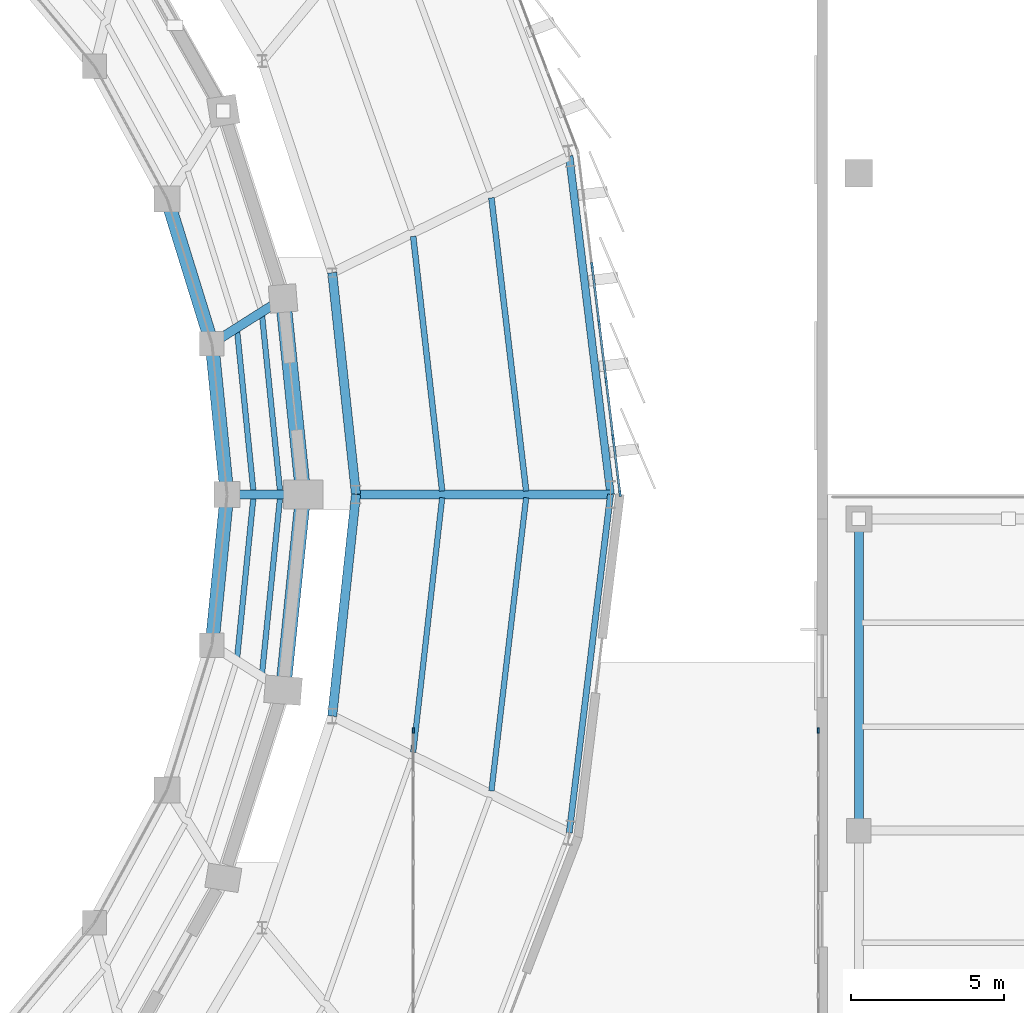
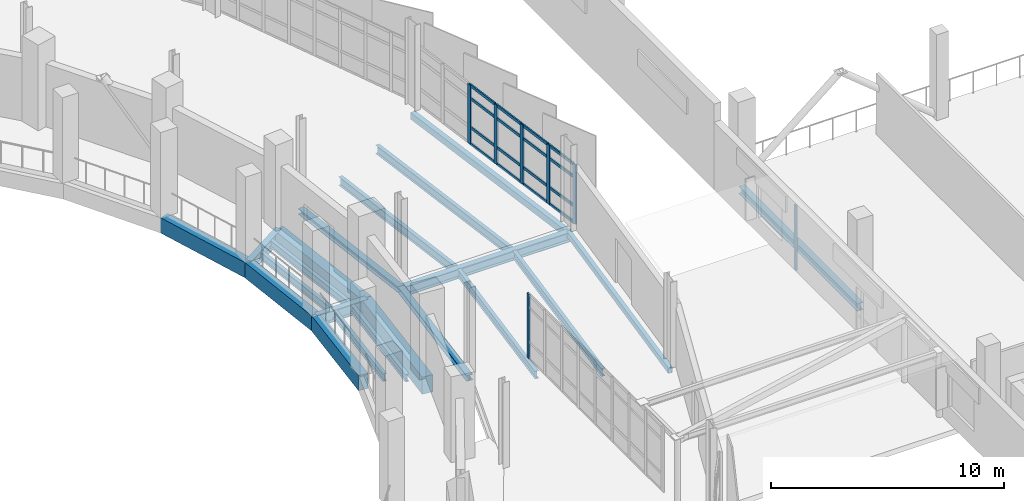
# One storey, part 71 of 125: 23 members, 21 beams, 3 elements without a shape of their own.
"""IFC4 building model written with IfcOpenShell, lengths in metres."""

from ifc_helpers import new_model, si_unit, direction, frame, origin, origin_2d, place, context, subcontext, project, spatial, rectangle, hollow_rectangle, i_section, extrude, material, layer, layer_set, material_profile, profile_set, type_object, element, aggregate, save


model = new_model("IFC4")

# Units and contexts
model_context = context("Model", 3, precision=1e-05, world=origin(), true_north=direction((0.0, 1.0)))
body_context = subcontext(model_context, "Body", "Model", "MODEL_VIEW")
ifc_project = project(units=[si_unit("LENGTHUNIT", "METRE"), si_unit("AREAUNIT", "SQUARE_METRE"), si_unit("VOLUMEUNIT", "CUBIC_METRE"), si_unit("PLANEANGLEUNIT", "RADIAN"), si_unit("MASSUNIT", "GRAM", prefix="KILO")], contexts=[model_context])

# Site, building, storey
site_placement = place(None, origin())
site = spatial("IfcSite", under=ifc_project, at=site_placement, CompositionType="ELEMENT")
building_placement = place(site_placement, origin())
building = spatial("IfcBuilding", under=site, at=building_placement, Name="Sohan Crest Arena", CompositionType="ELEMENT")
storey_placement = place(building_placement, frame((0.0, 0.0, 9.0)))
storey = spatial("IfcBuildingStorey", under=building, at=storey_placement, Name="L02", CompositionType="ELEMENT", Elevation=9.0)

# Curtain wall, member
ifc_material_1 = material(Name="Thermally broken anodised aluminium", Category="aluminium")
ifc_layer_1 = layer(ifc_material_1, 0.18994140625, Name="Thermally broken anodised aluminium")
ifc_layer_set_1 = layer_set([ifc_layer_1], Name="Thermally broken anodised aluminium")
curtain_wall_type_1 = type_object("IfcCurtainWallType", Name="ARC-CW05", PredefinedType="NOTDEFINED", material=ifc_layer_set_1)
curtain_wall_1_placement = place(storey_placement, origin())
curtain_wall_1 = element("IfcCurtainWall", 1, at=curtain_wall_1_placement, inside=storey, type_object=curtain_wall_type_1, Name="Unitised curtain wall CW-243", PredefinedType="NOTDEFINED")
ifc_material_profile_1 = material_profile(ifc_material_1, rectangle(XDim=0.06494140625, YDim=0.179931640625, at=origin_2d()), Name="ALU-MULL 65x180")
ifc_profile_set_1 = profile_set([ifc_material_profile_1], Name="Thermally broken anodised aluminium")
member_type_1 = type_object("IfcMemberType", Name="ARC-CW-ML02", PredefinedType="MULLION", material=ifc_profile_set_1)
member_1_placement = place(storey_placement, frame((181.6201171875, 70.267578125, 0.0), z_axis=(0.0, 0.0, 1.0), x_axis=(-1.0, 0.0, 0.0)))
member_1 = element("IfcMember", 2, at=member_1_placement, type_object=member_type_1, Name="CW-243 mullion 9", PredefinedType="MULLION", context=body_context, shape_type="SweptSolid", body=[
    extrude(rectangle(XDim=0.06494140625, YDim=0.179931640625, at=origin_2d()), origin(), (0.0, 0.0, 1.0), 3.39990234375),
])
aggregate(curtain_wall_1, [member_1])

curtain_wall_2_placement = place(storey_placement, origin())
curtain_wall_2 = element("IfcCurtainWall", 3, at=curtain_wall_2_placement, inside=storey, type_object=curtain_wall_type_1, Name="Unitised curtain wall CW-244", PredefinedType="NOTDEFINED")
member_2_placement = place(storey_placement, frame((194.8798828125, 70.267578125, 0.0), z_axis=(0.0, 0.0, 1.0), x_axis=(-1.0, 0.0, 0.0)))
member_2 = element("IfcMember", 4, at=member_2_placement, type_object=member_type_1, Name="CW-244 mullion 9", PredefinedType="MULLION", context=body_context, shape_type="SweptSolid", body=[
    extrude(rectangle(XDim=0.06494140625, YDim=0.179931640625, at=origin_2d()), origin(), (0.0, 0.0, 1.0), 3.39990234375),
])
aggregate(curtain_wall_2, [member_2])

# Curtain wall, members
ifc_layer_2 = layer(ifc_material_1, 0.2099609375, Name="Thermally broken anodised aluminium")
ifc_layer_set_2 = layer_set([ifc_layer_2], Name="Thermally broken anodised aluminium")
curtain_wall_type_2 = type_object("IfcCurtainWallType", Name="ARC-CW06", PredefinedType="NOTDEFINED", material=ifc_layer_set_2)
curtain_wall_3_placement = place(storey_placement, origin())
curtain_wall_3 = element("IfcCurtainWall", 5, at=curtain_wall_3_placement, inside=storey, type_object=curtain_wall_type_2, Name="Unitised curtain wall CW-069", PredefinedType="NOTDEFINED")
ifc_material_profile_2 = material_profile(ifc_material_1, rectangle(XDim=0.074951171875, YDim=0.219970703125, at=origin_2d()), Name="ALU-MULL 75x220")
ifc_profile_set_2 = profile_set([ifc_material_profile_2], Name="Thermally broken anodised aluminium")
member_type_2 = type_object("IfcMemberType", Name="ARC-CW-ML04", PredefinedType="MULLION", material=ifc_profile_set_2)
member_3_placement = place(storey_placement, frame((188.384521484375, 78.037109375, 0.0), z_axis=(0.0, 0.0, 1.0), x_axis=(-0.992574614228, -0.121637310023, 0.0)))
member_3 = element("IfcMember", 6, at=member_3_placement, type_object=member_type_2, Name="CW-069 mullion 1", PredefinedType="MULLION", context=body_context, shape_type="SweptSolid", body=[
    extrude(rectangle(XDim=0.074951171875, YDim=0.219970703125, at=origin_2d()), origin(), (0.0, 0.0, 1.0), 3.1201171875),
])
member_4_placement = place(storey_placement, frame((188.159912109375, 79.86865234375, 0.0), z_axis=(0.0, 0.0, 1.0), x_axis=(-0.992574614228, -0.121637310023, 0.0)))
member_4 = element("IfcMember", 7, at=member_4_placement, type_object=member_type_2, Name="CW-069 mullion 2", PredefinedType="MULLION", context=body_context, shape_type="SweptSolid", body=[
    extrude(rectangle(XDim=0.074951171875, YDim=0.219970703125, at=origin_2d()), origin(), (0.0, 0.0, 1.0), 3.1201171875),
])
member_5_placement = place(storey_placement, frame((187.930908203125, 81.7373046875, 0.0), z_axis=(0.0, 0.0, 1.0), x_axis=(-0.992574614228, -0.121637310023, 0.0)))
member_5 = element("IfcMember", 8, at=member_5_placement, type_object=member_type_2, Name="CW-069 mullion 3", PredefinedType="MULLION", context=body_context, shape_type="SweptSolid", body=[
    extrude(rectangle(XDim=0.074951171875, YDim=0.219970703125, at=origin_2d()), origin(), (0.0, 0.0, 1.0), 3.1201171875),
])
member_6_placement = place(storey_placement, frame((187.701904296875, 83.60595703125, 0.0), z_axis=(0.0, 0.0, 1.0), x_axis=(-0.992574614228, -0.121637310023, 0.0)))
member_6 = element("IfcMember", 9, at=member_6_placement, type_object=member_type_2, Name="CW-069 mullion 4", PredefinedType="MULLION", context=body_context, shape_type="SweptSolid", body=[
    extrude(rectangle(XDim=0.074951171875, YDim=0.219970703125, at=origin_2d()), origin(), (0.0, 0.0, 1.0), 3.1201171875),
])
member_7_placement = place(storey_placement, frame((187.472900390625, 85.474609375, 0.0), z_axis=(0.0, 0.0, 1.0), x_axis=(-0.992574614228, -0.121637310023, 0.0)))
member_7 = element("IfcMember", 10, at=member_7_placement, type_object=member_type_2, Name="CW-069 mullion 5", PredefinedType="MULLION", context=body_context, shape_type="SweptSolid", body=[
    extrude(rectangle(XDim=0.074951171875, YDim=0.219970703125, at=origin_2d()), origin(), (0.0, 0.0, 1.0), 3.1201171875),
])
ifc_material_profile_3 = material_profile(ifc_material_1, rectangle(XDim=0.070068359375, YDim=0.14990234375, at=origin_2d()), Name="ALU-TRAN 70x150")
ifc_profile_set_3 = profile_set([ifc_material_profile_3], Name="Thermally broken anodised aluminium")
member_type_3 = type_object("IfcMemberType", Name="ARC-CW-TR03", PredefinedType="USERDEFINED", material=ifc_profile_set_3)
member_8_placement = place(storey_placement, frame((188.3798828125, 78.074462890625, 0.034912109375), z_axis=(-0.12164101833, 0.992574159778, 0.0), x_axis=(-0.992574159778, -0.12164101833, 0.0)))
member_8 = element("IfcMember", 11, at=member_8_placement, type_object=member_type_3, Name="CW-069 transom 1.1", ObjectType="TRANSOM", PredefinedType="USERDEFINED", context=body_context, shape_type="SweptSolid", body=[
    extrude(rectangle(XDim=0.070068359375, YDim=0.14990234375, at=origin_2d()), origin(), (0.0, 0.0, 1.0), 1.770263671875),
])
member_9_placement = place(storey_placement, frame((188.3798828125, 78.074462890625, 0.89990234375), z_axis=(-0.12164101833, 0.992574159778, 0.0), x_axis=(-0.992574159778, -0.12164101833, 0.0)))
member_9 = element("IfcMember", 12, at=member_9_placement, type_object=member_type_3, Name="CW-069 transom 1.2", ObjectType="TRANSOM", PredefinedType="USERDEFINED", context=body_context, shape_type="SweptSolid", body=[
    extrude(rectangle(XDim=0.070068359375, YDim=0.14990234375, at=origin_2d()), origin(), (0.0, 0.0, 1.0), 1.770263671875),
])
member_10_placement = place(storey_placement, frame((188.3798828125, 78.074462890625, 2.419921875), z_axis=(-0.12164101833, 0.992574159778, 0.0), x_axis=(-0.992574159778, -0.12164101833, 0.0)))
member_10 = element("IfcMember", 13, at=member_10_placement, type_object=member_type_3, Name="CW-069 transom 1.3", ObjectType="TRANSOM", PredefinedType="USERDEFINED", context=body_context, shape_type="SweptSolid", body=[
    extrude(rectangle(XDim=0.070068359375, YDim=0.14990234375, at=origin_2d()), origin(), (0.0, 0.0, 1.0), 1.770263671875),
])
member_11_placement = place(storey_placement, frame((188.3798828125, 78.074462890625, 3.0849609375), z_axis=(-0.12164101833, 0.992574159778, 0.0), x_axis=(-0.992574159778, -0.12164101833, 0.0)))
member_11 = element("IfcMember", 14, at=member_11_placement, type_object=member_type_3, Name="CW-069 transom 1.4", ObjectType="TRANSOM", PredefinedType="USERDEFINED", context=body_context, shape_type="SweptSolid", body=[
    extrude(rectangle(XDim=0.070068359375, YDim=0.14990234375, at=origin_2d()), origin(), (0.0, 0.0, 1.0), 1.770263671875),
])
member_12_placement = place(storey_placement, frame((188.155517578125, 79.906005859375, 0.034912109375), z_axis=(-0.121690549419, 0.992568088436, 0.0), x_axis=(-0.992568088436, -0.121690549419, 0.0)))
member_12 = element("IfcMember", 15, at=member_12_placement, type_object=member_type_3, Name="CW-069 transom 2.1", ObjectType="TRANSOM", PredefinedType="USERDEFINED", context=body_context, shape_type="SweptSolid", body=[
    extrude(rectangle(XDim=0.070068359375, YDim=0.14990234375, at=origin_2d()), origin(), (0.0, 0.0, 1.0), 1.8076171875),
])
member_13_placement = place(storey_placement, frame((188.155517578125, 79.906005859375, 0.89990234375), z_axis=(-0.121690549419, 0.992568088436, 0.0), x_axis=(-0.992568088436, -0.121690549419, 0.0)))
member_13 = element("IfcMember", 16, at=member_13_placement, type_object=member_type_3, Name="CW-069 transom 2.2", ObjectType="TRANSOM", PredefinedType="USERDEFINED", context=body_context, shape_type="SweptSolid", body=[
    extrude(rectangle(XDim=0.070068359375, YDim=0.14990234375, at=origin_2d()), origin(), (0.0, 0.0, 1.0), 1.8076171875),
])
member_14_placement = place(storey_placement, frame((188.155517578125, 79.906005859375, 2.419921875), z_axis=(-0.121690549419, 0.992568088436, 0.0), x_axis=(-0.992568088436, -0.121690549419, 0.0)))
member_14 = element("IfcMember", 17, at=member_14_placement, type_object=member_type_3, Name="CW-069 transom 2.3", ObjectType="TRANSOM", PredefinedType="USERDEFINED", context=body_context, shape_type="SweptSolid", body=[
    extrude(rectangle(XDim=0.070068359375, YDim=0.14990234375, at=origin_2d()), origin(), (0.0, 0.0, 1.0), 1.8076171875),
])
member_15_placement = place(storey_placement, frame((188.155517578125, 79.906005859375, 3.0849609375), z_axis=(-0.121690549419, 0.992568088436, 0.0), x_axis=(-0.992568088436, -0.121690549419, 0.0)))
member_15 = element("IfcMember", 18, at=member_15_placement, type_object=member_type_3, Name="CW-069 transom 2.4", ObjectType="TRANSOM", PredefinedType="USERDEFINED", context=body_context, shape_type="SweptSolid", body=[
    extrude(rectangle(XDim=0.070068359375, YDim=0.14990234375, at=origin_2d()), origin(), (0.0, 0.0, 1.0), 1.8076171875),
])
member_16_placement = place(storey_placement, frame((187.926513671875, 81.774658203125, 0.034912109375), z_axis=(-0.121690549419, 0.992568088436, 0.0), x_axis=(-0.992568088436, -0.121690549419, 0.0)))
member_16 = element("IfcMember", 19, at=member_16_placement, type_object=member_type_3, Name="CW-069 transom 3.1", ObjectType="TRANSOM", PredefinedType="USERDEFINED", context=body_context, shape_type="SweptSolid", body=[
    extrude(rectangle(XDim=0.070068359375, YDim=0.14990234375, at=origin_2d()), origin(), (0.0, 0.0, 1.0), 1.8076171875),
])
member_17_placement = place(storey_placement, frame((187.926513671875, 81.774658203125, 0.89990234375), z_axis=(-0.121690549419, 0.992568088436, 0.0), x_axis=(-0.992568088436, -0.121690549419, 0.0)))
member_17 = element("IfcMember", 20, at=member_17_placement, type_object=member_type_3, Name="CW-069 transom 3.2", ObjectType="TRANSOM", PredefinedType="USERDEFINED", context=body_context, shape_type="SweptSolid", body=[
    extrude(rectangle(XDim=0.070068359375, YDim=0.14990234375, at=origin_2d()), origin(), (0.0, 0.0, 1.0), 1.8076171875),
])
member_18_placement = place(storey_placement, frame((187.926513671875, 81.774658203125, 2.419921875), z_axis=(-0.121690549419, 0.992568088436, 0.0), x_axis=(-0.992568088436, -0.121690549419, 0.0)))
member_18 = element("IfcMember", 21, at=member_18_placement, type_object=member_type_3, Name="CW-069 transom 3.3", ObjectType="TRANSOM", PredefinedType="USERDEFINED", context=body_context, shape_type="SweptSolid", body=[
    extrude(rectangle(XDim=0.070068359375, YDim=0.14990234375, at=origin_2d()), origin(), (0.0, 0.0, 1.0), 1.8076171875),
])
member_19_placement = place(storey_placement, frame((187.926513671875, 81.774658203125, 3.0849609375), z_axis=(-0.121690549419, 0.992568088436, 0.0), x_axis=(-0.992568088436, -0.121690549419, 0.0)))
member_19 = element("IfcMember", 22, at=member_19_placement, type_object=member_type_3, Name="CW-069 transom 3.4", ObjectType="TRANSOM", PredefinedType="USERDEFINED", context=body_context, shape_type="SweptSolid", body=[
    extrude(rectangle(XDim=0.070068359375, YDim=0.14990234375, at=origin_2d()), origin(), (0.0, 0.0, 1.0), 1.8076171875),
])
member_20_placement = place(storey_placement, frame((187.697509765625, 83.643310546875, 0.034912109375), z_axis=(-0.121690549419, 0.992568088436, 0.0), x_axis=(-0.992568088436, -0.121690549419, 0.0)))
member_20 = element("IfcMember", 23, at=member_20_placement, type_object=member_type_3, Name="CW-069 transom 4.1", ObjectType="TRANSOM", PredefinedType="USERDEFINED", context=body_context, shape_type="SweptSolid", body=[
    extrude(rectangle(XDim=0.070068359375, YDim=0.14990234375, at=origin_2d()), origin(), (0.0, 0.0, 1.0), 1.8076171875),
])
member_21_placement = place(storey_placement, frame((187.697509765625, 83.643310546875, 0.89990234375), z_axis=(-0.121690549419, 0.992568088436, 0.0), x_axis=(-0.992568088436, -0.121690549419, 0.0)))
member_21 = element("IfcMember", 24, at=member_21_placement, type_object=member_type_3, Name="CW-069 transom 4.2", ObjectType="TRANSOM", PredefinedType="USERDEFINED", context=body_context, shape_type="SweptSolid", body=[
    extrude(rectangle(XDim=0.070068359375, YDim=0.14990234375, at=origin_2d()), origin(), (0.0, 0.0, 1.0), 1.8076171875),
])
member_22_placement = place(storey_placement, frame((187.697509765625, 83.643310546875, 2.419921875), z_axis=(-0.121690549419, 0.992568088436, 0.0), x_axis=(-0.992568088436, -0.121690549419, 0.0)))
member_22 = element("IfcMember", 25, at=member_22_placement, type_object=member_type_3, Name="CW-069 transom 4.3", ObjectType="TRANSOM", PredefinedType="USERDEFINED", context=body_context, shape_type="SweptSolid", body=[
    extrude(rectangle(XDim=0.070068359375, YDim=0.14990234375, at=origin_2d()), origin(), (0.0, 0.0, 1.0), 1.8076171875),
])
member_23_placement = place(storey_placement, frame((187.697509765625, 83.643310546875, 3.0849609375), z_axis=(-0.121690549419, 0.992568088436, 0.0), x_axis=(-0.992568088436, -0.121690549419, 0.0)))
member_23 = element("IfcMember", 26, at=member_23_placement, type_object=member_type_3, Name="CW-069 transom 4.4", ObjectType="TRANSOM", PredefinedType="USERDEFINED", context=body_context, shape_type="SweptSolid", body=[
    extrude(rectangle(XDim=0.070068359375, YDim=0.14990234375, at=origin_2d()), origin(), (0.0, 0.0, 1.0), 1.8076171875),
])
aggregate(curtain_wall_3, [member_3, member_4, member_5, member_6, member_7, member_8, member_9, member_10, member_11, member_12, member_13, member_14, member_15, member_16, member_17, member_18, member_19, member_20, member_21, member_22, member_23])

# Beams
ifc_material_2 = material(Name="Steel S355", Category="steel")
ifc_material_profile_4 = material_profile(ifc_material_2, i_section(OverallWidth=0.179931640625, OverallDepth=0.39990234375, WebThickness=0.008544921875, FlangeThickness=0.013427734375, at=origin_2d()), Name="IPE 400")
ifc_profile_set_4 = profile_set([ifc_material_profile_4], Name="Steel S355")
beam_type_1 = type_object("IfcBeamType", Name="STR-BM-B03", PredefinedType="JOIST", material=ifc_profile_set_4)
beam_1_placement = place(storey_placement, frame((175.862060546875, 72.662109375, -0.449951171875), z_axis=(0.101030499598, 0.994883328914, 0.0), x_axis=(-0.994883328914, 0.101030499598, 0.0)))
element("IfcBeam", 27, at=beam_1_placement, inside=storey, type_object=beam_type_1, Name="Structural beam J-L02-0558", PredefinedType="JOIST", context=body_context, shape_type="SweptSolid", body=[
    extrude(i_section(OverallWidth=0.179931640625, OverallDepth=0.39990234375, WebThickness=0.008544921875, FlangeThickness=0.013427734375, at=origin_2d()), origin(), (0.0, 0.0, 1.0), 5.255859375),
])
beam_2_placement = place(storey_placement, frame((176.676025390625, 72.14501953125, -0.449951171875), z_axis=(0.101947356638, 0.99478979512, 0.0), x_axis=(-0.99478979512, 0.101947356638, 0.0)))
element("IfcBeam", 28, at=beam_2_placement, inside=storey, type_object=beam_type_1, Name="Structural beam J-L02-0559", PredefinedType="JOIST", context=body_context, shape_type="SweptSolid", body=[
    extrude(i_section(OverallWidth=0.179931640625, OverallDepth=0.39990234375, WebThickness=0.008544921875, FlangeThickness=0.013427734375, at=origin_2d()), origin(), (0.0, 0.0, 1.0), 5.776123046875),
])
beam_3_placement = place(storey_placement, frame((176.39306640625, 78.10888671875, -0.449951171875), z_axis=(-0.101030499598, 0.994883328914, 0.0), x_axis=(-0.994883328914, -0.101030499598, 0.0)))
element("IfcBeam", 29, at=beam_3_placement, inside=storey, type_object=beam_type_1, Name="Structural beam J-L02-0581", PredefinedType="JOIST", context=body_context, shape_type="SweptSolid", body=[
    extrude(i_section(OverallWidth=0.179931640625, OverallDepth=0.39990234375, WebThickness=0.008544921875, FlangeThickness=0.013427734375, at=origin_2d()), origin(), (0.0, 0.0, 1.0), 5.255859375),
])
beam_4_placement = place(storey_placement, frame((177.264892578125, 78.10888671875, -0.449951171875), z_axis=(-0.101947356638, 0.99478979512, 0.0), x_axis=(-0.99478979512, -0.101947356638, 0.0)))
element("IfcBeam", 30, at=beam_4_placement, inside=storey, type_object=beam_type_1, Name="Structural beam J-L02-0582", PredefinedType="JOIST", context=body_context, shape_type="SweptSolid", body=[
    extrude(i_section(OverallWidth=0.179931640625, OverallDepth=0.39990234375, WebThickness=0.008544921875, FlangeThickness=0.013427734375, at=origin_2d()), origin(), (0.0, 0.0, 1.0), 5.776123046875),
])
beam_5_placement = place(storey_placement, frame((181.6201171875, 69.55908203125, -0.449951171875), z_axis=(0.11316313726, 0.993576420999, 0.0), x_axis=(-0.993576420999, 0.11316313726, 0.0)))
element("IfcBeam", 31, at=beam_5_placement, inside=storey, type_object=beam_type_1, Name="Structural beam J-L02-1344", PredefinedType="JOIST", context=body_context, shape_type="SweptSolid", body=[
    extrude(i_section(OverallWidth=0.179931640625, OverallDepth=0.39990234375, WebThickness=0.008544921875, FlangeThickness=0.013427734375, at=origin_2d()), origin(), (0.0, 0.0, 1.0), 8.385986328125),
])
beam_6_placement = place(storey_placement, frame((184.179931640625, 68.299072265625, -0.449951171875), z_axis=(0.117608198901, 0.993060074493, 0.0), x_axis=(-0.993060074493, 0.117608198901, 0.0)))
element("IfcBeam", 32, at=beam_6_placement, inside=storey, type_object=beam_type_1, Name="Structural beam J-L02-1345", PredefinedType="JOIST", context=body_context, shape_type="SweptSolid", body=[
    extrude(i_section(OverallWidth=0.179931640625, OverallDepth=0.39990234375, WebThickness=0.008544921875, FlangeThickness=0.013427734375, at=origin_2d()), origin(), (0.0, 0.0, 1.0), 9.6591796875),
])
ifc_material_profile_5 = material_profile(ifc_material_2, i_section(OverallWidth=0.18994140625, OverallDepth=0.449951171875, WebThickness=0.009521484375, FlangeThickness=0.0146484375, at=origin_2d()), Name="IPE 450")
ifc_profile_set_5 = profile_set([ifc_material_profile_5], Name="Steel S355")
beam_type_2 = type_object("IfcBeamType", Name="STR-BM-B04", PredefinedType="JOIST", material=ifc_profile_set_5)
beam_7_placement = place(storey_placement, frame((182.569091796875, 78.10888671875, -0.47509765625), z_axis=(-0.11316313726, 0.993576420999, 0.0), x_axis=(-0.993576420999, -0.11316313726, 0.0)))
element("IfcBeam", 33, at=beam_7_placement, inside=storey, type_object=beam_type_2, Name="Structural beam J-L02-1349", PredefinedType="JOIST", context=body_context, shape_type="SweptSolid", body=[
    extrude(i_section(OverallWidth=0.18994140625, OverallDepth=0.449951171875, WebThickness=0.009521484375, FlangeThickness=0.0146484375, at=origin_2d()), origin(), (0.0, 0.0, 1.0), 8.385986328125),
])
beam_8_placement = place(storey_placement, frame((185.31591796875, 78.10888671875, -0.47509765625), z_axis=(-0.117608198901, 0.993060074493, 0.0), x_axis=(-0.993060074493, -0.117608198901, 0.0)))
element("IfcBeam", 34, at=beam_8_placement, inside=storey, type_object=beam_type_2, Name="Structural beam J-L02-1350", PredefinedType="JOIST", context=body_context, shape_type="SweptSolid", body=[
    extrude(i_section(OverallWidth=0.18994140625, OverallDepth=0.449951171875, WebThickness=0.009521484375, FlangeThickness=0.0146484375, at=origin_2d()), origin(), (0.0, 0.0, 1.0), 9.6591796875),
])
ifc_material_profile_6 = material_profile(ifc_material_2, i_section(OverallWidth=0.300048828125, OverallDepth=0.389892578125, WebThickness=0.010986328125, FlangeThickness=0.01904296875, at=origin_2d()), Name="HEA 400")
ifc_profile_set_6 = profile_set([ifc_material_profile_6], Name="Steel S355")
beam_type_3 = type_object("IfcBeamType", Name="STR-BM-B09", PredefinedType="BEAM", material=ifc_profile_set_6)
beam_9_placement = place(storey_placement, frame((196.199951171875, 67.0, -0.425048828125), z_axis=(0.0, 1.0, 0.0), x_axis=(-1.0, 0.0, 0.0)))
element("IfcBeam", 35, at=beam_9_placement, inside=storey, type_object=beam_type_3, Name="Structural beam G-L02-2307", PredefinedType="BEAM", context=body_context, shape_type="SweptSolid", body=[
    extrude(i_section(OverallWidth=0.300048828125, OverallDepth=0.389892578125, WebThickness=0.010986328125, FlangeThickness=0.01904296875, at=origin_2d()), origin(), (0.0, 0.0, 1.0), 10.199951171875),
])
ifc_material_profile_7 = material_profile(ifc_material_2, i_section(OverallWidth=0.300048828125, OverallDepth=0.590087890625, WebThickness=0.012939453125, FlangeThickness=0.02490234375, at=origin_2d()), Name="HEA 600")
ifc_profile_set_7 = profile_set([ifc_material_profile_7], Name="Steel S355")
beam_type_4 = type_object("IfcBeamType", Name="STR-BM-B11", PredefinedType="BEAM", material=ifc_profile_set_7)
beam_10_placement = place(storey_placement, frame((175.531982421875, 78.0, -0.544921875), z_axis=(1.0, 0.0, 0.0), x_axis=(0.0, 1.0, 0.0)))
element("IfcBeam", 36, at=beam_10_placement, inside=storey, type_object=beam_type_4, Name="Structural beam G-L02-0580", PredefinedType="BEAM", context=body_context, shape_type="SweptSolid", body=[
    extrude(i_section(OverallWidth=0.300048828125, OverallDepth=0.590087890625, WebThickness=0.012939453125, FlangeThickness=0.02490234375, at=origin_2d()), origin(), (0.0, 0.0, 1.0), 2.490966796875),
])
beam_11_placement = place(storey_placement, frame((175.037109375, 82.929931640625, -0.544921875), z_axis=(0.84416826172, 0.536078302027, 0.0), x_axis=(-0.536078302027, 0.84416826172, 0.0)))
element("IfcBeam", 37, at=beam_11_placement, inside=storey, type_object=beam_type_4, Name="Structural beam G-L02-0603", PredefinedType="BEAM", context=body_context, shape_type="SweptSolid", body=[
    extrude(i_section(OverallWidth=0.300048828125, OverallDepth=0.590087890625, WebThickness=0.012939453125, FlangeThickness=0.02490234375, at=origin_2d()), origin(), (0.0, 0.0, 1.0), 2.75537109375),
])
ifc_material_profile_8 = material_profile(ifc_material_2, i_section(OverallWidth=0.300048828125, OverallDepth=0.300048828125, WebThickness=0.010986328125, FlangeThickness=0.01904296875, at=origin_2d()), Name="HEB 300")
ifc_profile_set_8 = profile_set([ifc_material_profile_8], Name="Steel S355")
beam_type_5 = type_object("IfcBeamType", Name="STR-BM-B12", PredefinedType="BEAM", material=ifc_profile_set_8)
for number, where, z_axis, x_axis, name in (
    (38, (178.971923828125, 70.748046875, -0.39990234375), (0.106679679342, 0.994293440598, 0.0), (-0.994293440598, 0.106679679342, 0.0), "Structural beam G-L02-1342"),
    (39, (179.75, 78.0, -0.39990234375), (-0.106679679342, 0.994293440598, 0.0), (-0.994293440598, -0.106679679342, 0.0), "Structural beam G-L02-1347"),
):
    element("IfcBeam", number, at=place(storey_placement, frame(where, z_axis=z_axis, x_axis=x_axis)), inside=storey, type_object=beam_type_5, Name=name, PredefinedType="BEAM", context=body_context, shape_type="SweptSolid", body=[
        extrude(i_section(OverallWidth=0.300048828125, OverallDepth=0.300048828125, WebThickness=0.010986328125, FlangeThickness=0.01904296875, at=origin_2d()), origin(), (0.0, 0.0, 1.0), 7.29345703125),
    ])
ifc_material_profile_9 = material_profile(ifc_material_2, i_section(OverallWidth=0.300048828125, OverallDepth=0.5, WebThickness=0.014404296875, FlangeThickness=0.028076171875, at=origin_2d()), Name="HEB 500")
ifc_profile_set_9 = profile_set([ifc_material_profile_9], Name="Steel S355")
beam_type_6 = type_object("IfcBeamType", Name="STR-BM-B14", PredefinedType="BEAM", material=ifc_profile_set_9)
beam_12_placement = place(storey_placement, frame((179.75, 78.0, -0.5), z_axis=(1.0, 0.0, 0.0), x_axis=(0.0, 1.0, 0.0)))
element("IfcBeam", 40, at=beam_12_placement, inside=storey, type_object=beam_type_6, Name="Structural beam G-L02-1346", PredefinedType="BEAM", context=body_context, shape_type="SweptSolid", body=[
    extrude(i_section(OverallWidth=0.300048828125, OverallDepth=0.5, WebThickness=0.014404296875, FlangeThickness=0.028076171875, at=origin_2d()), origin(), (0.0, 0.0, 1.0), 8.326904296875),
])
ifc_material_profile_10 = material_profile(ifc_material_2, hollow_rectangle(XDim=0.199951171875, YDim=0.300048828125, WallThickness=0.010009765625, at=origin_2d()), Name="RHS 300x200x10")
ifc_profile_set_10 = profile_set([ifc_material_profile_10], Name="Steel S355")
beam_type_7 = type_object("IfcBeamType", Name="STR-BM-SP03", PredefinedType="SPANDREL", material=ifc_profile_set_10)
beam_13_placement = place(storey_placement, frame((186.72509765625, 66.929931640625, -0.39990234375), z_axis=(0.121213260401, 0.992626488415, 0.0), x_axis=(-0.992626488415, 0.121213260401, 0.0)))
element("IfcBeam", 41, at=beam_13_placement, inside=storey, type_object=beam_type_7, Name="Structural beam SP-L02-1343", PredefinedType="SPANDREL", context=body_context, shape_type="SweptSolid", body=[
    extrude(hollow_rectangle(XDim=0.199951171875, YDim=0.300048828125, WallThickness=0.010009765625, at=origin_2d()), origin(), (0.0, 0.0, 1.0), 11.15234375),
])
ifc_material_profile_11 = material_profile(ifc_material_2, hollow_rectangle(XDim=0.25, YDim=0.35009765625, WallThickness=0.012451171875, at=origin_2d()), Name="RHS 350x250x12.5")
ifc_profile_set_11 = profile_set([ifc_material_profile_11], Name="Steel S355")
beam_type_8 = type_object("IfcBeamType", Name="STR-BM-SP04", PredefinedType="SPANDREL", material=ifc_profile_set_11)
beam_14_placement = place(storey_placement, frame((188.076904296875, 78.0, -0.425048828125), z_axis=(-0.121213260401, 0.992626488415, 0.0), x_axis=(-0.992626488415, -0.121213260401, 0.0)))
element("IfcBeam", 42, at=beam_14_placement, inside=storey, type_object=beam_type_8, Name="Structural beam SP-L02-1348", PredefinedType="SPANDREL", context=body_context, shape_type="SweptSolid", body=[
    extrude(hollow_rectangle(XDim=0.25, YDim=0.35009765625, WallThickness=0.012451171875, at=origin_2d()), origin(), (0.0, 0.0, 1.0), 11.15234375),
])
ifc_material_3 = material(Name="Concrete C40/50", Category="concrete")
ifc_material_profile_12 = material_profile(ifc_material_3, rectangle(XDim=0.449951171875, YDim=0.800048828125, at=origin_2d()), Name="RC-BM 450x800")
ifc_profile_set_12 = profile_set([ifc_material_profile_12], Name="Concrete C40/50")
beam_type_9 = type_object("IfcBeamType", Name="STR-BM-TB02", PredefinedType="BEAM", material=ifc_profile_set_12)
for number, where, z_axis, x_axis, name in (
    (43, (175.037109375, 73.070068359375, -0.64990234375), (0.099879368849, 0.994999553607, 0.0), (-0.994999553607, 0.099879368849, 0.0), "Structural beam TB-L02-0555"),
    (44, (175.531982421875, 78.0, -0.64990234375), (-0.099879368849, 0.994999553607, 0.0), (-0.994999553607, -0.099879368849, 0.0), "Structural beam TB-L02-0578"),
):
    element("IfcBeam", number, at=place(storey_placement, frame(where, z_axis=z_axis, x_axis=x_axis)), inside=storey, type_object=beam_type_9, Name=name, PredefinedType="BEAM", context=body_context, shape_type="SweptSolid", body=[
        extrude(rectangle(XDim=0.449951171875, YDim=0.800048828125, at=origin_2d()), origin(), (0.0, 0.0, 1.0), 4.95458984375),
    ])
beam_15_placement = place(storey_placement, frame((175.037109375, 82.929931640625, -0.64990234375), z_axis=(-0.295819661295, 0.955243805524, 0.0), x_axis=(-0.955243805524, -0.295819661295, 0.0)))
element("IfcBeam", 45, at=beam_15_placement, inside=storey, type_object=beam_type_9, Name="Structural beam TB-L02-0601", PredefinedType="BEAM", context=body_context, shape_type="SweptSolid", body=[
    extrude(rectangle(XDim=0.449951171875, YDim=0.800048828125, at=origin_2d()), origin(), (0.0, 0.0, 1.0), 4.9560546875),
])
ifc_material_profile_13 = material_profile(ifc_material_3, rectangle(XDim=0.5, YDim=0.89990234375, at=origin_2d()), Name="RC-BM 500x900")
ifc_profile_set_13 = profile_set([ifc_material_profile_13], Name="Concrete C40/50")
beam_type_10 = type_object("IfcBeamType", Name="STR-BM-TB03", PredefinedType="BEAM", material=ifc_profile_set_13)
for number, where, z_axis, x_axis, name in (
    (46, (177.363037109375, 71.593017578125, -0.699951171875), (0.102456857996, 0.994737448903, 0.0), (-0.994737448903, 0.102456857996, 0.0), "Structural beam TB-L02-0556"),
    (47, (178.02294921875, 78.0, -0.699951171875), (-0.102456857996, 0.994737448903, 0.0), (-0.994737448903, -0.102456857996, 0.0), "Structural beam TB-L02-0579"),
):
    element("IfcBeam", number, at=place(storey_placement, frame(where, z_axis=z_axis, x_axis=x_axis)), inside=storey, type_object=beam_type_10, Name=name, PredefinedType="BEAM", context=body_context, shape_type="SweptSolid", body=[
        extrude(rectangle(XDim=0.5, YDim=0.89990234375, at=origin_2d()), origin(), (0.0, 0.0, 1.0), 6.44091796875),
    ])

save(model, "model.ifc")
